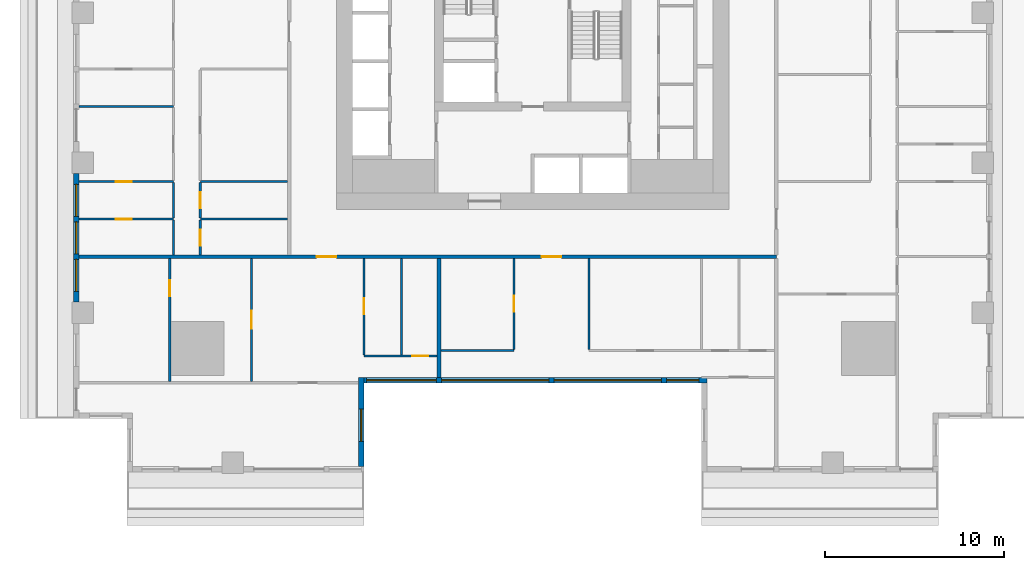
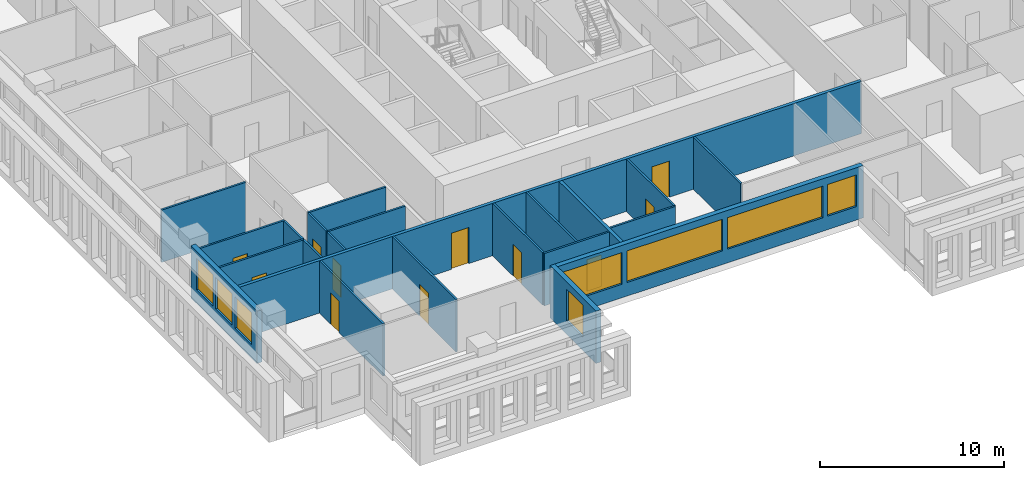
# One storey, part 2 of 15: 22 walls, 11 doors, 8 windows, 19 openings.
"""IFC4 building model written with IfcOpenShell, lengths in metres."""

from ifc_helpers import new_model, si_unit, direction, frame, frame_2d, origin, place, context, subcontext, project, spatial, rectangle, extrude, material, layer, layer_set, type_object, element, fill, save


model = new_model("IFC4")

# Units and contexts
model_context = context("Model", 3, precision=1e-05, world=origin(), true_north=direction((0.0, 1.0)))
body_context = subcontext(model_context, "Body", "Model", "MODEL_VIEW")
ifc_project = project(units=[si_unit("LENGTHUNIT", "METRE"), si_unit("AREAUNIT", "SQUARE_METRE"), si_unit("VOLUMEUNIT", "CUBIC_METRE"), si_unit("PLANEANGLEUNIT", "RADIAN"), si_unit("MASSUNIT", "GRAM", prefix="KILO")], contexts=[model_context])

# Site, building, storey
site_placement = place(None, origin())
site = spatial("IfcSite", under=ifc_project, at=site_placement, CompositionType="ELEMENT")
building_placement = place(site_placement, origin())
building = spatial("IfcBuilding", under=site, at=building_placement, Name="Khepri Terraces", CompositionType="ELEMENT")
storey_placement = place(building_placement, frame((0.0, 0.0, 54.300048828125)))
storey = spatial("IfcBuildingStorey", under=building, at=storey_placement, Name="L12", CompositionType="ELEMENT", Elevation=54.300048828125)

# Wall
ifc_material_1 = material(Name="Fire-rated gypsum plasterboard partition, mineral wool")
ifc_layer_1 = layer(ifc_material_1, 0.199951171875, Name="Fire-rated gypsum plasterboard partition, mineral wool")
ifc_layer_set_1 = layer_set([ifc_layer_1], Name="Fire-rated gypsum plasterboard partition, mineral wool")
wall_type_1 = type_object("IfcWallType", Name="WL-CORR-200", PredefinedType="PARTITIONING", material=ifc_layer_set_1)
wall_1_placement = place(storey_placement, frame((-5.25, -20.419921875, 0.0), z_axis=(0.0, 0.0, 1.0), x_axis=(0.0, 1.0, 0.0)))
element("IfcWall", 1, at=wall_1_placement, inside=storey, type_object=wall_type_1, Name="Partition P-004 L12", PredefinedType="PARTITIONING", context=body_context, shape_type="SweptSolid", body=[
    extrude(rectangle(XDim=6.669921875, YDim=0.199951171875, at=frame_2d((3.3349609375, 0.0))), origin(), (0.0, 0.0, 1.0), 3.47998046875),
])

# Wall, openings, doors
wall_2_placement = place(storey_placement, frame((-25.419921875, -13.64990234375, 0.0), z_axis=(0.0, 0.0, 1.0), x_axis=(1.0, 0.0, 0.0)))
wall_2 = element("IfcWall", 2, at=wall_2_placement, inside=storey, type_object=wall_type_1, Name="Partition P-020 L12", PredefinedType="PARTITIONING", context=body_context, shape_type="SweptSolid", body=[
    extrude(rectangle(XDim=39.06982421875, YDim=0.199951171875, at=frame_2d((19.534912109375, 0.0))), origin(), (0.0, 0.0, 1.0), 3.47998046875),
])
opening_1_placement = place(wall_2_placement, frame((13.320068359375, 0.0, 0.0)))
opening_1 = element("IfcOpeningElement", 3, at=opening_1_placement, cuts=wall_2, Name="Opening D1", PredefinedType="OPENING", context=body_context, shape_type="SweptSolid", body=[
    extrude(rectangle(XDim=1.10009765625, YDim=2.39990234375, at=frame_2d((0.550048828125, 1.199951171875))), frame((0.0, 0.10986328125, 0.0), z_axis=(0.0, -1.0, 0.0), x_axis=(1.0, 0.0, 0.0)), (0.0, 0.0, 1.0), 0.219970703125),
])
opening_2_placement = place(wall_2_placement, frame((25.919921875, 0.0, 0.0)))
opening_2 = element("IfcOpeningElement", 4, at=opening_2_placement, cuts=wall_2, Name="Opening D1", PredefinedType="OPENING", context=body_context, shape_type="SweptSolid", body=[
    extrude(rectangle(XDim=1.10009765625, YDim=2.39990234375, at=frame_2d((0.550048828125, 1.199951171875))), frame((0.0, 0.10986328125, 0.0), z_axis=(0.0, -1.0, 0.0), x_axis=(1.0, 0.0, 0.0)), (0.0, 0.0, 1.0), 0.219970703125),
])
ifc_material_2 = material(Name="Solid-core timber door leaf, flat entrance door", Category="wood")
door_type_1 = type_object("IfcDoorType", Name="DR-ENT-1100", OperationType="NOTDEFINED", PredefinedType="DOOR", material=ifc_material_2)
door_1_placement = place(opening_1_placement, frame((1.10009765625, 0.0, 0.0), z_axis=(0.0, 0.0, 1.0), x_axis=(-1.0, 0.0, 0.0)))
door_1 = element("IfcDoor", 5, at=door_1_placement, inside=storey, type_object=door_type_1, Name="Flat A1 entrance door", OperationType="SINGLE_SWING_RIGHT", OverallHeight=2.39990234375, OverallWidth=1.10009765625, PredefinedType="DOOR", context=body_context, shape_type="SweptSolid", body=[
    extrude(rectangle(XDim=1.10009765625, YDim=2.39990234375, at=frame_2d((0.550048828125, 1.199951171875))), frame((0.0, 0.02490234375, 0.0), z_axis=(0.0, -1.0, 0.0), x_axis=(1.0, 0.0, 0.0)), (0.0, 0.0, 1.0), 0.050048828125),
])
fill(opening_1, door_1)
door_2_placement = place(opening_2_placement, frame((1.10009765625, 0.0, 0.0), z_axis=(0.0, 0.0, 1.0), x_axis=(-1.0, 0.0, 0.0)))
door_2 = element("IfcDoor", 6, at=door_2_placement, inside=storey, type_object=door_type_1, Name="Flat A2 entrance door", OperationType="SINGLE_SWING_LEFT", OverallHeight=2.39990234375, OverallWidth=1.10009765625, PredefinedType="DOOR", context=body_context, shape_type="SweptSolid", body=[
    extrude(rectangle(XDim=1.10009765625, YDim=2.39990234375, at=frame_2d((0.550048828125, 1.199951171875))), frame((0.0, 0.02490234375, 0.0), z_axis=(0.0, -1.0, 0.0), x_axis=(1.0, 0.0, 0.0)), (0.0, 0.0, 1.0), 0.050048828125),
])
fill(opening_2, door_2)

# Wall, openings, windows
ifc_material_3 = material(Name="Precast concrete C50/60 warm stone", Category="masonry")
ifc_layer_2 = layer(ifc_material_3, 0.300048828125, Name="Precast concrete C50/60 warm stone", Category="masonry")
ifc_layer_set_2 = layer_set([ifc_layer_2], Name="Precast concrete C50/60 warm stone")
wall_type_2 = type_object("IfcWallType", Name="WL-EXT-PRECAST-300", PredefinedType="STANDARD", material=ifc_layer_set_2)
wall_3_placement = place(storey_placement, frame((-25.570068359375, -9.0, 0.0), z_axis=(0.0, 0.0, 1.0), x_axis=(0.0, -1.0, 0.0)))
wall_3 = element("IfcWall", 7, at=wall_3_placement, inside=storey, type_object=wall_type_2, Name="External wall L12 W", PredefinedType="STANDARD", context=body_context, shape_type="SweptSolid", body=[
    extrude(rectangle(XDim=7.199951171875, YDim=0.300048828125, at=frame_2d((3.60009765625, 0.0))), origin(), (0.0, 0.0, 1.0), 3.47998046875),
])
opening_3_placement = place(wall_3_placement, frame((0.60009765625, 0.0, 0.89990234375)))
opening_3 = element("IfcOpeningElement", 8, at=opening_3_placement, cuts=wall_3, Name="Opening W1", PredefinedType="OPENING", context=body_context, shape_type="SweptSolid", body=[
    extrude(rectangle(XDim=1.800048828125, YDim=2.10009765625, at=frame_2d((0.89990234375, 1.050048828125))), frame((0.0, 0.16015625, 0.0), z_axis=(0.0, -1.0, 0.0), x_axis=(1.0, 0.0, 0.0)), (0.0, 0.0, 1.0), 0.320068359375),
])
opening_4_placement = place(wall_3_placement, frame((2.699951171875, 0.0, 0.89990234375)))
opening_4 = element("IfcOpeningElement", 9, at=opening_4_placement, cuts=wall_3, Name="Opening W1", PredefinedType="OPENING", context=body_context, shape_type="SweptSolid", body=[
    extrude(rectangle(XDim=1.800048828125, YDim=2.10009765625, at=frame_2d((0.89990234375, 1.050048828125))), frame((0.0, 0.16015625, 0.0), z_axis=(0.0, -1.0, 0.0), x_axis=(1.0, 0.0, 0.0)), (0.0, 0.0, 1.0), 0.320068359375),
])
opening_5_placement = place(wall_3_placement, frame((4.800048828125, 0.0, 0.89990234375)))
opening_5 = element("IfcOpeningElement", 10, at=opening_5_placement, cuts=wall_3, Name="Opening W1", PredefinedType="OPENING", context=body_context, shape_type="SweptSolid", body=[
    extrude(rectangle(XDim=1.800048828125, YDim=2.10009765625, at=frame_2d((0.89990234375, 1.050048828125))), frame((0.0, 0.16015625, 0.0), z_axis=(0.0, -1.0, 0.0), x_axis=(1.0, 0.0, 0.0)), (0.0, 0.0, 1.0), 0.320068359375),
])
ifc_material_4 = material(Name="Clear glass", Category="glass")
window_type_1 = type_object("IfcWindowType", Name="WIN-RES-1800x2100", PartitioningType="SINGLE_PANEL", PredefinedType="WINDOW", material=ifc_material_4)
window_1_placement = place(opening_3_placement, origin())
window_1 = element("IfcWindow", 11, at=window_1_placement, inside=storey, type_object=window_type_1, Name="Window L12 W", OverallHeight=2.10009765625, OverallWidth=1.800048828125, PartitioningType="SINGLE_PANEL", PredefinedType="WINDOW", context=body_context, shape_type="SweptSolid", body=[
    extrude(rectangle(XDim=1.800048828125, YDim=2.10009765625, at=frame_2d((0.89990234375, 1.050048828125))), frame((0.0, 0.030029296875, 0.0), z_axis=(0.0, -1.0, 0.0), x_axis=(1.0, 0.0, 0.0)), (0.0, 0.0, 1.0), 0.06005859375),
])
fill(opening_3, window_1)
window_2_placement = place(opening_4_placement, origin())
window_2 = element("IfcWindow", 12, at=window_2_placement, inside=storey, type_object=window_type_1, Name="Window L12 W", OverallHeight=2.10009765625, OverallWidth=1.800048828125, PartitioningType="SINGLE_PANEL", PredefinedType="WINDOW", context=body_context, shape_type="SweptSolid", body=[
    extrude(rectangle(XDim=1.800048828125, YDim=2.10009765625, at=frame_2d((0.89990234375, 1.050048828125))), frame((0.0, 0.030029296875, 0.0), z_axis=(0.0, -1.0, 0.0), x_axis=(1.0, 0.0, 0.0)), (0.0, 0.0, 1.0), 0.06005859375),
])
fill(opening_4, window_2)
window_3_placement = place(opening_5_placement, origin())
window_3 = element("IfcWindow", 13, at=window_3_placement, inside=storey, type_object=window_type_1, Name="Window L12 W", OverallHeight=2.10009765625, OverallWidth=1.800048828125, PartitioningType="SINGLE_PANEL", PredefinedType="WINDOW", context=body_context, shape_type="SweptSolid", body=[
    extrude(rectangle(XDim=1.800048828125, YDim=2.10009765625, at=frame_2d((0.89990234375, 1.050048828125))), frame((0.0, 0.030029296875, 0.0), z_axis=(0.0, -1.0, 0.0), x_axis=(1.0, 0.0, 0.0)), (0.0, 0.0, 1.0), 0.06005859375),
])
fill(opening_5, window_3)

# Wall, opening, window
wall_4_placement = place(storey_placement, frame((-9.60009765625, -25.419921875, 0.0), z_axis=(0.0, 0.0, 1.0), x_axis=(0.0, 1.0, 0.0)))
wall_4 = element("IfcWall", 14, at=wall_4_placement, inside=storey, type_object=wall_type_2, Name="External wall L12 E", PredefinedType="STANDARD", context=body_context, shape_type="SweptSolid", body=[
    extrude(rectangle(XDim=5.0, YDim=0.300048828125, at=frame_2d((2.5, 0.0))), origin(), (0.0, 0.0, 1.0), 3.47998046875),
])
opening_6_placement = place(wall_4_placement, frame((1.419921875, 0.0, 0.89990234375)))
opening_6 = element("IfcOpeningElement", 15, at=opening_6_placement, cuts=wall_4, Name="Opening W1", PredefinedType="OPENING", context=body_context, shape_type="SweptSolid", body=[
    extrude(rectangle(XDim=1.800048828125, YDim=2.10009765625, at=frame_2d((0.89990234375, 1.050048828125))), frame((0.0, 0.16015625, 0.0), z_axis=(0.0, -1.0, 0.0), x_axis=(1.0, 0.0, 0.0)), (0.0, 0.0, 1.0), 0.320068359375),
])
window_4_placement = place(opening_6_placement, origin())
window_4 = element("IfcWindow", 16, at=window_4_placement, inside=storey, type_object=window_type_1, Name="Window L12 E", OverallHeight=2.10009765625, OverallWidth=1.800048828125, PartitioningType="SINGLE_PANEL", PredefinedType="WINDOW", context=body_context, shape_type="SweptSolid", body=[
    extrude(rectangle(XDim=1.800048828125, YDim=2.10009765625, at=frame_2d((0.89990234375, 1.050048828125))), frame((0.0, 0.030029296875, 0.0), z_axis=(0.0, -1.0, 0.0), x_axis=(1.0, 0.0, 0.0)), (0.0, 0.0, 1.0), 0.06005859375),
])
fill(opening_6, window_4)

# Wall, openings, windows
wall_5_placement = place(storey_placement, frame((-9.449951171875, -20.570068359375, 0.0), z_axis=(0.0, 0.0, 1.0), x_axis=(1.0, 0.0, 0.0)))
wall_5 = element("IfcWall", 17, at=wall_5_placement, inside=storey, type_object=wall_type_2, Name="External wall L12 S", PredefinedType="STANDARD", context=body_context, shape_type="SweptSolid", body=[
    extrude(rectangle(XDim=19.199951171875, YDim=0.300048828125, at=frame_2d((9.60009765625, 0.0))), origin(), (0.0, 0.0, 1.0), 3.47998046875),
])
opening_7_placement = place(wall_5_placement, frame((0.14990234375, 0.0, 0.89990234375)))
opening_7 = element("IfcOpeningElement", 18, at=opening_7_placement, cuts=wall_5, Name="Opening W2", PredefinedType="OPENING", context=body_context, shape_type="SweptSolid", body=[
    extrude(rectangle(XDim=3.89990234375, YDim=2.10009765625, at=frame_2d((1.949951171875, 1.050048828125))), frame((0.0, 0.16015625, 0.0), z_axis=(0.0, -1.0, 0.0), x_axis=(1.0, 0.0, 0.0)), (0.0, 0.0, 1.0), 0.320068359375),
])
opening_8_placement = place(wall_5_placement, frame((4.35009765625, 0.0, 0.89990234375)))
opening_8 = element("IfcOpeningElement", 19, at=opening_8_placement, cuts=wall_5, Name="Opening W3", PredefinedType="OPENING", context=body_context, shape_type="SweptSolid", body=[
    extrude(rectangle(XDim=6.0, YDim=2.10009765625, at=frame_2d((3.0, 1.050048828125))), frame((0.0, 0.16015625, 0.0), z_axis=(0.0, -1.0, 0.0), x_axis=(1.0, 0.0, 0.0)), (0.0, 0.0, 1.0), 0.320068359375),
])
opening_9_placement = place(wall_5_placement, frame((10.64990234375, 0.0, 0.89990234375)))
opening_9 = element("IfcOpeningElement", 20, at=opening_9_placement, cuts=wall_5, Name="Opening W3", PredefinedType="OPENING", context=body_context, shape_type="SweptSolid", body=[
    extrude(rectangle(XDim=6.0, YDim=2.10009765625, at=frame_2d((3.0, 1.050048828125))), frame((0.0, 0.16015625, 0.0), z_axis=(0.0, -1.0, 0.0), x_axis=(1.0, 0.0, 0.0)), (0.0, 0.0, 1.0), 0.320068359375),
])
opening_10_placement = place(wall_5_placement, frame((16.949951171875, 0.0, 0.89990234375)))
opening_10 = element("IfcOpeningElement", 21, at=opening_10_placement, cuts=wall_5, Name="Opening W1", PredefinedType="OPENING", context=body_context, shape_type="SweptSolid", body=[
    extrude(rectangle(XDim=1.800048828125, YDim=2.10009765625, at=frame_2d((0.89990234375, 1.050048828125))), frame((0.0, 0.16015625, 0.0), z_axis=(0.0, -1.0, 0.0), x_axis=(1.0, 0.0, 0.0)), (0.0, 0.0, 1.0), 0.320068359375),
])
window_5_placement = place(opening_10_placement, origin())
window_5 = element("IfcWindow", 22, at=window_5_placement, inside=storey, type_object=window_type_1, Name="Window L12 S", OverallHeight=2.10009765625, OverallWidth=1.800048828125, PartitioningType="SINGLE_PANEL", PredefinedType="WINDOW", context=body_context, shape_type="SweptSolid", body=[
    extrude(rectangle(XDim=1.800048828125, YDim=2.10009765625, at=frame_2d((0.89990234375, 1.050048828125))), frame((0.0, 0.030029296875, 0.0), z_axis=(0.0, -1.0, 0.0), x_axis=(1.0, 0.0, 0.0)), (0.0, 0.0, 1.0), 0.06005859375),
])
fill(opening_10, window_5)
window_type_2 = type_object("IfcWindowType", Name="WIN-RES-3900x2100", PartitioningType="SINGLE_PANEL", PredefinedType="WINDOW", material=ifc_material_4)
window_6_placement = place(opening_7_placement, origin())
window_6 = element("IfcWindow", 23, at=window_6_placement, inside=storey, type_object=window_type_2, Name="Window L12 S", OverallHeight=2.10009765625, OverallWidth=3.89990234375, PartitioningType="SINGLE_PANEL", PredefinedType="WINDOW", context=body_context, shape_type="SweptSolid", body=[
    extrude(rectangle(XDim=3.89990234375, YDim=2.10009765625, at=frame_2d((1.949951171875, 1.050048828125))), frame((0.0, 0.030029296875, 0.0), z_axis=(0.0, -1.0, 0.0), x_axis=(1.0, 0.0, 0.0)), (0.0, 0.0, 1.0), 0.06005859375),
])
fill(opening_7, window_6)
window_type_3 = type_object("IfcWindowType", Name="WIN-RES-6000x2100", PartitioningType="SINGLE_PANEL", PredefinedType="WINDOW", material=ifc_material_4)
window_7_placement = place(opening_8_placement, origin())
window_7 = element("IfcWindow", 24, at=window_7_placement, inside=storey, type_object=window_type_3, Name="Window L12 S", OverallHeight=2.10009765625, OverallWidth=6.0, PartitioningType="SINGLE_PANEL", PredefinedType="WINDOW", context=body_context, shape_type="SweptSolid", body=[
    extrude(rectangle(XDim=6.0, YDim=2.10009765625, at=frame_2d((3.0, 1.050048828125))), frame((0.0, 0.030029296875, 0.0), z_axis=(0.0, -1.0, 0.0), x_axis=(1.0, 0.0, 0.0)), (0.0, 0.0, 1.0), 0.06005859375),
])
fill(opening_8, window_7)
window_8_placement = place(opening_9_placement, origin())
window_8 = element("IfcWindow", 25, at=window_8_placement, inside=storey, type_object=window_type_3, Name="Window L12 S", OverallHeight=2.10009765625, OverallWidth=6.0, PartitioningType="SINGLE_PANEL", PredefinedType="WINDOW", context=body_context, shape_type="SweptSolid", body=[
    extrude(rectangle(XDim=6.0, YDim=2.10009765625, at=frame_2d((3.0, 1.050048828125))), frame((0.0, 0.030029296875, 0.0), z_axis=(0.0, -1.0, 0.0), x_axis=(1.0, 0.0, 0.0)), (0.0, 0.0, 1.0), 0.06005859375),
])
fill(opening_9, window_8)

# Wall, opening, door
ifc_material_5 = material(Name="Gypsum plasterboard partition")
ifc_layer_3 = layer(ifc_material_5, 0.1201171875, Name="Gypsum plasterboard partition")
ifc_layer_set_3 = layer_set([ifc_layer_3], Name="Gypsum plasterboard partition")
wall_type_3 = type_object("IfcWallType", Name="WL-PART-120", PredefinedType="PARTITIONING", material=ifc_layer_set_3)
wall_6_placement = place(storey_placement, frame((-20.333984375, -20.659912109375, 0.0), z_axis=(0.0, 0.0, 1.0), x_axis=(0.0, 1.0, 0.0)))
wall_6 = element("IfcWall", 26, at=wall_6_placement, inside=storey, type_object=wall_type_3, Name="Partition P-006 L12", PredefinedType="PARTITIONING", context=body_context, shape_type="SweptSolid", body=[
    extrude(rectangle(XDim=6.909912109375, YDim=0.1201171875, at=frame_2d((3.455078125, 0.0))), origin(), (0.0, 0.0, 1.0), 3.47998046875),
])
opening_11_placement = place(wall_6_placement, frame((4.79248046875, 0.0, 0.0)))
opening_11 = element("IfcOpeningElement", 27, at=opening_11_placement, cuts=wall_6, Name="Opening D3", PredefinedType="OPENING", context=body_context, shape_type="SweptSolid", body=[
    extrude(rectangle(XDim=0.89990234375, YDim=2.10009765625, at=frame_2d((0.449951171875, 1.050048828125))), frame((0.0, 0.070068359375, 0.0), z_axis=(0.0, -1.0, 0.0), x_axis=(1.0, 0.0, 0.0)), (0.0, 0.0, 1.0), 0.14013671875),
])
ifc_material_6 = material(Name="Timber door leaf", Category="wood")
door_type_2 = type_object("IfcDoorType", Name="DR-INT-900", OperationType="NOTDEFINED", PredefinedType="DOOR", material=ifc_material_6)
door_3_placement = place(opening_11_placement, origin())
door_3 = element("IfcDoor", 28, at=door_3_placement, inside=storey, type_object=door_type_2, Name="Door Staff Bedroom", OperationType="SINGLE_SWING_RIGHT", OverallHeight=2.10009765625, OverallWidth=0.89990234375, PredefinedType="DOOR", context=body_context, shape_type="SweptSolid", body=[
    extrude(rectangle(XDim=0.89990234375, YDim=2.10009765625, at=frame_2d((0.449951171875, 1.050048828125))), frame((0.0, 0.02490234375, 0.0), z_axis=(0.0, -1.0, 0.0), x_axis=(1.0, 0.0, 0.0)), (0.0, 0.0, 1.0), 0.050048828125),
])
fill(opening_11, door_3)

wall_7_placement = place(storey_placement, frame((-15.75, -20.659912109375, 0.0), z_axis=(0.0, 0.0, 1.0), x_axis=(0.0, 1.0, 0.0)))
wall_7 = element("IfcWall", 29, at=wall_7_placement, inside=storey, type_object=wall_type_3, Name="Partition P-007 L12", PredefinedType="PARTITIONING", context=body_context, shape_type="SweptSolid", body=[
    extrude(rectangle(XDim=6.909912109375, YDim=0.1201171875, at=frame_2d((3.455078125, 0.0))), origin(), (0.0, 0.0, 1.0), 3.47998046875),
])
opening_12_placement = place(wall_7_placement, frame((2.97509765625, 0.0, 0.0)))
opening_12 = element("IfcOpeningElement", 30, at=opening_12_placement, cuts=wall_7, Name="Opening D2", PredefinedType="OPENING", context=body_context, shape_type="SweptSolid", body=[
    extrude(rectangle(XDim=1.0, YDim=2.10009765625, at=frame_2d((0.5, 1.050048828125))), frame((0.0, 0.070068359375, 0.0), z_axis=(0.0, -1.0, 0.0), x_axis=(1.0, 0.0, 0.0)), (0.0, 0.0, 1.0), 0.14013671875),
])
ifc_material_7 = material(Name="Timber door leaf, living room door", Category="wood")
door_type_3 = type_object("IfcDoorType", Name="DR-INT-1000", OperationType="NOTDEFINED", PredefinedType="DOOR", material=ifc_material_7)
door_4_placement = place(opening_12_placement, origin())
door_4 = element("IfcDoor", 31, at=door_4_placement, inside=storey, type_object=door_type_3, Name="Door Family Room", OperationType="SINGLE_SWING_RIGHT", OverallHeight=2.10009765625, OverallWidth=1.0, PredefinedType="DOOR", context=body_context, shape_type="SweptSolid", body=[
    extrude(rectangle(XDim=1.0, YDim=2.10009765625, at=frame_2d((0.5, 1.050048828125))), frame((0.0, 0.02490234375, 0.0), z_axis=(0.0, -1.0, 0.0), x_axis=(1.0, 0.0, 0.0)), (0.0, 0.0, 1.0), 0.050048828125),
])
fill(opening_12, door_4)

wall_8_placement = place(storey_placement, frame((-9.449951171875, -19.219970703125, 0.0), z_axis=(0.0, 0.0, 1.0), x_axis=(1.0, 0.0, 0.0)))
wall_8 = element("IfcWall", 32, at=wall_8_placement, inside=storey, type_object=wall_type_3, Name="Partition P-009 L12", PredefinedType="PARTITIONING", context=body_context, shape_type="SweptSolid", body=[
    extrude(rectangle(XDim=4.099853515625, YDim=0.1201171875, at=frame_2d((2.0498046875, 0.0))), origin(), (0.0, 0.0, 1.0), 3.47998046875),
])
opening_13_placement = place(wall_8_placement, frame((2.699951171875, 0.0, 0.0)))
opening_13 = element("IfcOpeningElement", 33, at=opening_13_placement, cuts=wall_8, Name="Opening D3", PredefinedType="OPENING", context=body_context, shape_type="SweptSolid", body=[
    extrude(rectangle(XDim=0.89990234375, YDim=2.10009765625, at=frame_2d((0.449951171875, 1.050048828125))), frame((0.0, 0.070068359375, 0.0), z_axis=(0.0, -1.0, 0.0), x_axis=(1.0, 0.0, 0.0)), (0.0, 0.0, 1.0), 0.14013671875),
])
door_5_placement = place(opening_13_placement, origin())
door_5 = element("IfcDoor", 34, at=door_5_placement, inside=storey, type_object=door_type_2, Name="Door Kitchen", OperationType="SINGLE_SWING_RIGHT", OverallHeight=2.10009765625, OverallWidth=0.89990234375, PredefinedType="DOOR", context=body_context, shape_type="SweptSolid", body=[
    extrude(rectangle(XDim=0.89990234375, YDim=2.10009765625, at=frame_2d((0.449951171875, 1.050048828125))), frame((0.0, 0.02490234375, 0.0), z_axis=(0.0, -1.0, 0.0), x_axis=(1.0, 0.0, 0.0)), (0.0, 0.0, 1.0), 0.050048828125),
])
fill(opening_13, door_5)

wall_9_placement = place(storey_placement, frame((-9.449951171875, -19.159912109375, 0.0), z_axis=(0.0, 0.0, 1.0), x_axis=(0.0, 1.0, 0.0)))
wall_9 = element("IfcWall", 35, at=wall_9_placement, inside=storey, type_object=wall_type_3, Name="Partition P-010 L12", PredefinedType="PARTITIONING", context=body_context, shape_type="SweptSolid", body=[
    extrude(rectangle(XDim=5.409912109375, YDim=0.1201171875, at=frame_2d((2.705078125, 0.0))), origin(), (0.0, 0.0, 1.0), 3.47998046875),
])
opening_14_placement = place(wall_9_placement, frame((2.27490234375, 0.0, 0.0)))
opening_14 = element("IfcOpeningElement", 36, at=opening_14_placement, cuts=wall_9, Name="Opening D4", PredefinedType="OPENING", context=body_context, shape_type="SweptSolid", body=[
    extrude(rectangle(XDim=0.89990234375, YDim=2.10009765625, at=frame_2d((0.449951171875, 1.050048828125))), frame((0.0, 0.070068359375, 0.0), z_axis=(0.0, -1.0, 0.0), x_axis=(1.0, 0.0, 0.0)), (0.0, 0.0, 1.0), 0.14013671875),
])
ifc_material_8 = material(Name="Timber door leaf, moisture resistant", Category="wood")
door_type_4 = type_object("IfcDoorType", Name="DR-WET-900", OperationType="NOTDEFINED", PredefinedType="DOOR", material=ifc_material_8)
door_6_placement = place(opening_14_placement, frame((0.89990234375, 0.0, 0.0), z_axis=(0.0, 0.0, 1.0), x_axis=(-1.0, 0.0, 0.0)))
door_6 = element("IfcDoor", 37, at=door_6_placement, inside=storey, type_object=door_type_4, Name="Door Guest Bathroom", OperationType="SINGLE_SWING_LEFT", OverallHeight=2.10009765625, OverallWidth=0.89990234375, PredefinedType="DOOR", context=body_context, shape_type="SweptSolid", body=[
    extrude(rectangle(XDim=0.89990234375, YDim=2.10009765625, at=frame_2d((0.449951171875, 1.050048828125))), frame((0.0, 0.02490234375, 0.0), z_axis=(0.0, -1.0, 0.0), x_axis=(1.0, 0.0, 0.0)), (0.0, 0.0, 1.0), 0.050048828125),
])
fill(opening_14, door_6)

# Walls
wall_10_placement = place(storey_placement, frame((-7.35009765625, -19.159912109375, 0.0), z_axis=(0.0, 0.0, 1.0), x_axis=(0.0, 1.0, 0.0)))
element("IfcWall", 38, at=wall_10_placement, inside=storey, type_object=wall_type_3, Name="Partition P-011 L12", PredefinedType="PARTITIONING", context=body_context, shape_type="SweptSolid", body=[
    extrude(rectangle(XDim=5.409912109375, YDim=0.1201171875, at=frame_2d((2.705078125, 0.0))), origin(), (0.0, 0.0, 1.0), 3.47998046875),
])
wall_11_placement = place(storey_placement, frame((-5.14990234375, -18.919921875, 0.0), z_axis=(0.0, 0.0, 1.0), x_axis=(1.0, 0.0, 0.0)))
element("IfcWall", 39, at=wall_11_placement, inside=storey, type_object=wall_type_3, Name="Partition P-012 L12", PredefinedType="PARTITIONING", context=body_context, shape_type="SweptSolid", body=[
    extrude(rectangle(XDim=4.099853515625, YDim=0.1201171875, at=frame_2d((2.0498046875, 0.0))), origin(), (0.0, 0.0, 1.0), 3.47998046875),
])

# Wall, opening, door
wall_12_placement = place(storey_placement, frame((-1.050048828125, -18.860107421875, 0.0), z_axis=(0.0, 0.0, 1.0), x_axis=(0.0, 1.0, 0.0)))
wall_12 = element("IfcWall", 40, at=wall_12_placement, inside=storey, type_object=wall_type_3, Name="Partition P-014 L12", PredefinedType="PARTITIONING", context=body_context, shape_type="SweptSolid", body=[
    extrude(rectangle(XDim=5.110107421875, YDim=0.1201171875, at=frame_2d((2.55517578125, 0.0))), origin(), (0.0, 0.0, 1.0), 3.47998046875),
])
opening_15_placement = place(wall_12_placement, frame((2.125, 0.0, 0.0)))
opening_15 = element("IfcOpeningElement", 41, at=opening_15_placement, cuts=wall_12, Name="Opening D3", PredefinedType="OPENING", context=body_context, shape_type="SweptSolid", body=[
    extrude(rectangle(XDim=0.89990234375, YDim=2.10009765625, at=frame_2d((0.449951171875, 1.050048828125))), frame((0.0, 0.070068359375, 0.0), z_axis=(0.0, -1.0, 0.0), x_axis=(1.0, 0.0, 0.0)), (0.0, 0.0, 1.0), 0.14013671875),
])
door_7_placement = place(opening_15_placement, origin())
door_7 = element("IfcDoor", 42, at=door_7_placement, inside=storey, type_object=door_type_2, Name="Door Staff Bedroom", OperationType="SINGLE_SWING_RIGHT", OverallHeight=2.10009765625, OverallWidth=0.89990234375, PredefinedType="DOOR", context=body_context, shape_type="SweptSolid", body=[
    extrude(rectangle(XDim=0.89990234375, YDim=2.10009765625, at=frame_2d((0.449951171875, 1.050048828125))), frame((0.0, 0.02490234375, 0.0), z_axis=(0.0, -1.0, 0.0), x_axis=(1.0, 0.0, 0.0)), (0.0, 0.0, 1.0), 0.050048828125),
])
fill(opening_15, door_7)

# Walls
wall_13_placement = place(storey_placement, frame((3.14990234375, -18.860107421875, 0.0), z_axis=(0.0, 0.0, 1.0), x_axis=(0.0, 1.0, 0.0)))
element("IfcWall", 43, at=wall_13_placement, inside=storey, type_object=wall_type_3, Name="Partition P-015 L12", PredefinedType="PARTITIONING", context=body_context, shape_type="SweptSolid", body=[
    extrude(rectangle(XDim=5.110107421875, YDim=0.1201171875, at=frame_2d((2.55517578125, 0.0))), origin(), (0.0, 0.0, 1.0), 3.47998046875),
])
wall_14_placement = place(storey_placement, frame((-20.1201171875, -13.550048828125, 0.0), z_axis=(0.0, 0.0, 1.0), x_axis=(0.0, 1.0, 0.0)))
element("IfcWall", 44, at=wall_14_placement, inside=storey, type_object=wall_type_3, Name="Partition P-023 L12", PredefinedType="PARTITIONING", context=body_context, shape_type="SweptSolid", body=[
    extrude(rectangle(XDim=1.93994140625, YDim=0.1201171875, at=frame_2d((0.969970703125, 0.0))), origin(), (0.0, 0.0, 1.0), 3.47998046875),
])

# Wall, opening, door
wall_15_placement = place(storey_placement, frame((-18.6201171875, -13.550048828125, 0.0), z_axis=(0.0, 0.0, 1.0), x_axis=(0.0, 1.0, 0.0)))
wall_15 = element("IfcWall", 45, at=wall_15_placement, inside=storey, type_object=wall_type_3, Name="Partition P-024 L12", PredefinedType="PARTITIONING", context=body_context, shape_type="SweptSolid", body=[
    extrude(rectangle(XDim=1.93994140625, YDim=0.1201171875, at=frame_2d((0.969970703125, 0.0))), origin(), (0.0, 0.0, 1.0), 3.47998046875),
])
opening_16_placement = place(wall_15_placement, frame((0.5, 0.0, 0.0)))
opening_16 = element("IfcOpeningElement", 46, at=opening_16_placement, cuts=wall_15, Name="Opening D4", PredefinedType="OPENING", context=body_context, shape_type="SweptSolid", body=[
    extrude(rectangle(XDim=0.89990234375, YDim=2.10009765625, at=frame_2d((0.449951171875, 1.050048828125))), frame((0.0, 0.070068359375, 0.0), z_axis=(0.0, -1.0, 0.0), x_axis=(1.0, 0.0, 0.0)), (0.0, 0.0, 1.0), 0.14013671875),
])
door_8_placement = place(opening_16_placement, frame((0.89990234375, 0.0, 0.0), z_axis=(0.0, 0.0, 1.0), x_axis=(-1.0, 0.0, 0.0)))
door_8 = element("IfcDoor", 47, at=door_8_placement, inside=storey, type_object=door_type_4, Name="Door Guest Bathroom", OperationType="SINGLE_SWING_RIGHT", OverallHeight=2.10009765625, OverallWidth=0.89990234375, PredefinedType="DOOR", context=body_context, shape_type="SweptSolid", body=[
    extrude(rectangle(XDim=0.89990234375, YDim=2.10009765625, at=frame_2d((0.449951171875, 1.050048828125))), frame((0.0, 0.02490234375, 0.0), z_axis=(0.0, -1.0, 0.0), x_axis=(1.0, 0.0, 0.0)), (0.0, 0.0, 1.0), 0.050048828125),
])
fill(opening_16, door_8)

wall_16_placement = place(storey_placement, frame((-25.419921875, -11.550048828125, 0.0), z_axis=(0.0, 0.0, 1.0), x_axis=(1.0, 0.0, 0.0)))
wall_16 = element("IfcWall", 48, at=wall_16_placement, inside=storey, type_object=wall_type_3, Name="Partition P-027 L12", PredefinedType="PARTITIONING", context=body_context, shape_type="SweptSolid", body=[
    extrude(rectangle(XDim=5.2998046875, YDim=0.1201171875, at=frame_2d((2.64990234375, 0.0))), origin(), (0.0, 0.0, 1.0), 3.47998046875),
])
opening_17_placement = place(wall_16_placement, frame((2.050048828125, 0.0, 0.0)))
opening_17 = element("IfcOpeningElement", 49, at=opening_17_placement, cuts=wall_16, Name="Opening D4", PredefinedType="OPENING", context=body_context, shape_type="SweptSolid", body=[
    extrude(rectangle(XDim=0.89990234375, YDim=2.10009765625, at=frame_2d((0.449951171875, 1.050048828125))), frame((0.0, 0.070068359375, 0.0), z_axis=(0.0, -1.0, 0.0), x_axis=(1.0, 0.0, 0.0)), (0.0, 0.0, 1.0), 0.14013671875),
])
door_9_placement = place(opening_17_placement, frame((0.89990234375, 0.0, 0.0), z_axis=(0.0, 0.0, 1.0), x_axis=(-1.0, 0.0, 0.0)))
door_9 = element("IfcDoor", 50, at=door_9_placement, inside=storey, type_object=door_type_4, Name="Door Bathroom", OperationType="SINGLE_SWING_RIGHT", OverallHeight=2.10009765625, OverallWidth=0.89990234375, PredefinedType="DOOR", context=body_context, shape_type="SweptSolid", body=[
    extrude(rectangle(XDim=0.89990234375, YDim=2.10009765625, at=frame_2d((0.449951171875, 1.050048828125))), frame((0.0, 0.02490234375, 0.0), z_axis=(0.0, -1.0, 0.0), x_axis=(1.0, 0.0, 0.0)), (0.0, 0.0, 1.0), 0.050048828125),
])
fill(opening_17, door_9)

# Walls
wall_17_placement = place(storey_placement, frame((-18.6201171875, -11.550048828125, 0.0), z_axis=(0.0, 0.0, 1.0), x_axis=(1.0, 0.0, 0.0)))
element("IfcWall", 51, at=wall_17_placement, inside=storey, type_object=wall_type_3, Name="Partition P-028 L12", PredefinedType="PARTITIONING", context=body_context, shape_type="SweptSolid", body=[
    extrude(rectangle(XDim=4.8701171875, YDim=0.1201171875, at=frame_2d((2.43505859375, 0.0))), origin(), (0.0, 0.0, 1.0), 3.47998046875),
])
wall_18_placement = place(storey_placement, frame((-20.1201171875, -11.489990234375, 0.0), z_axis=(0.0, 0.0, 1.0), x_axis=(0.0, 1.0, 0.0)))
element("IfcWall", 52, at=wall_18_placement, inside=storey, type_object=wall_type_3, Name="Partition P-029 L12", PredefinedType="PARTITIONING", context=body_context, shape_type="SweptSolid", body=[
    extrude(rectangle(XDim=1.97998046875, YDim=0.1201171875, at=frame_2d((0.989990234375, 0.0))), origin(), (0.0, 0.0, 1.0), 3.47998046875),
])

# Wall, opening, door
wall_19_placement = place(storey_placement, frame((-18.6201171875, -11.489990234375, 0.0), z_axis=(0.0, 0.0, 1.0), x_axis=(0.0, 1.0, 0.0)))
wall_19 = element("IfcWall", 53, at=wall_19_placement, inside=storey, type_object=wall_type_3, Name="Partition P-030 L12", PredefinedType="PARTITIONING", context=body_context, shape_type="SweptSolid", body=[
    extrude(rectangle(XDim=1.97998046875, YDim=0.1201171875, at=frame_2d((0.989990234375, 0.0))), origin(), (0.0, 0.0, 1.0), 3.47998046875),
])
opening_18_placement = place(wall_19_placement, frame((0.5400390625, 0.0, 0.0)))
opening_18 = element("IfcOpeningElement", 54, at=opening_18_placement, cuts=wall_19, Name="Opening D4", PredefinedType="OPENING", context=body_context, shape_type="SweptSolid", body=[
    extrude(rectangle(XDim=0.89990234375, YDim=2.10009765625, at=frame_2d((0.449951171875, 1.050048828125))), frame((0.0, 0.070068359375, 0.0), z_axis=(0.0, -1.0, 0.0), x_axis=(1.0, 0.0, 0.0)), (0.0, 0.0, 1.0), 0.14013671875),
])
door_10_placement = place(opening_18_placement, frame((0.89990234375, 0.0, 0.0), z_axis=(0.0, 0.0, 1.0), x_axis=(-1.0, 0.0, 0.0)))
door_10 = element("IfcDoor", 55, at=door_10_placement, inside=storey, type_object=door_type_4, Name="Door Powder Room", OperationType="SINGLE_SWING_LEFT", OverallHeight=2.10009765625, OverallWidth=0.89990234375, PredefinedType="DOOR", context=body_context, shape_type="SweptSolid", body=[
    extrude(rectangle(XDim=0.89990234375, YDim=2.10009765625, at=frame_2d((0.449951171875, 1.050048828125))), frame((0.0, 0.02490234375, 0.0), z_axis=(0.0, -1.0, 0.0), x_axis=(1.0, 0.0, 0.0)), (0.0, 0.0, 1.0), 0.050048828125),
])
fill(opening_18, door_10)

wall_20_placement = place(storey_placement, frame((-25.419921875, -9.449951171875, 0.0), z_axis=(0.0, 0.0, 1.0), x_axis=(1.0, 0.0, 0.0)))
wall_20 = element("IfcWall", 56, at=wall_20_placement, inside=storey, type_object=wall_type_3, Name="Partition P-031 L12", PredefinedType="PARTITIONING", context=body_context, shape_type="SweptSolid", body=[
    extrude(rectangle(XDim=5.2998046875, YDim=0.1201171875, at=frame_2d((2.64990234375, 0.0))), origin(), (0.0, 0.0, 1.0), 3.47998046875),
])
opening_19_placement = place(wall_20_placement, frame((2.050048828125, 0.0, 0.0)))
opening_19 = element("IfcOpeningElement", 57, at=opening_19_placement, cuts=wall_20, Name="Opening D3", PredefinedType="OPENING", context=body_context, shape_type="SweptSolid", body=[
    extrude(rectangle(XDim=0.89990234375, YDim=2.10009765625, at=frame_2d((0.449951171875, 1.050048828125))), frame((0.0, 0.070068359375, 0.0), z_axis=(0.0, -1.0, 0.0), x_axis=(1.0, 0.0, 0.0)), (0.0, 0.0, 1.0), 0.14013671875),
])
door_11_placement = place(opening_19_placement, frame((0.89990234375, 0.0, 0.0), z_axis=(0.0, 0.0, 1.0), x_axis=(-1.0, 0.0, 0.0)))
door_11 = element("IfcDoor", 58, at=door_11_placement, inside=storey, type_object=door_type_2, Name="Door Dressing Room", OperationType="SINGLE_SWING_RIGHT", OverallHeight=2.10009765625, OverallWidth=0.89990234375, PredefinedType="DOOR", context=body_context, shape_type="SweptSolid", body=[
    extrude(rectangle(XDim=0.89990234375, YDim=2.10009765625, at=frame_2d((0.449951171875, 1.050048828125))), frame((0.0, 0.02490234375, 0.0), z_axis=(0.0, -1.0, 0.0), x_axis=(1.0, 0.0, 0.0)), (0.0, 0.0, 1.0), 0.050048828125),
])
fill(opening_19, door_11)

# Walls
wall_21_placement = place(storey_placement, frame((-18.6201171875, -9.449951171875, 0.0), z_axis=(0.0, 0.0, 1.0), x_axis=(1.0, 0.0, 0.0)))
element("IfcWall", 59, at=wall_21_placement, inside=storey, type_object=wall_type_3, Name="Partition P-032 L12", PredefinedType="PARTITIONING", context=body_context, shape_type="SweptSolid", body=[
    extrude(rectangle(XDim=4.8701171875, YDim=0.1201171875, at=frame_2d((2.43505859375, 0.0))), origin(), (0.0, 0.0, 1.0), 3.47998046875),
])
wall_22_placement = place(storey_placement, frame((-25.419921875, -5.25, 0.0), z_axis=(0.0, 0.0, 1.0), x_axis=(1.0, 0.0, 0.0)))
element("IfcWall", 60, at=wall_22_placement, inside=storey, type_object=wall_type_3, Name="Partition P-041 L12", PredefinedType="PARTITIONING", context=body_context, shape_type="SweptSolid", body=[
    extrude(rectangle(XDim=5.2998046875, YDim=0.1201171875, at=frame_2d((2.64990234375, 0.0))), origin(), (0.0, 0.0, 1.0), 3.47998046875),
])

save(model, "model.ifc")
